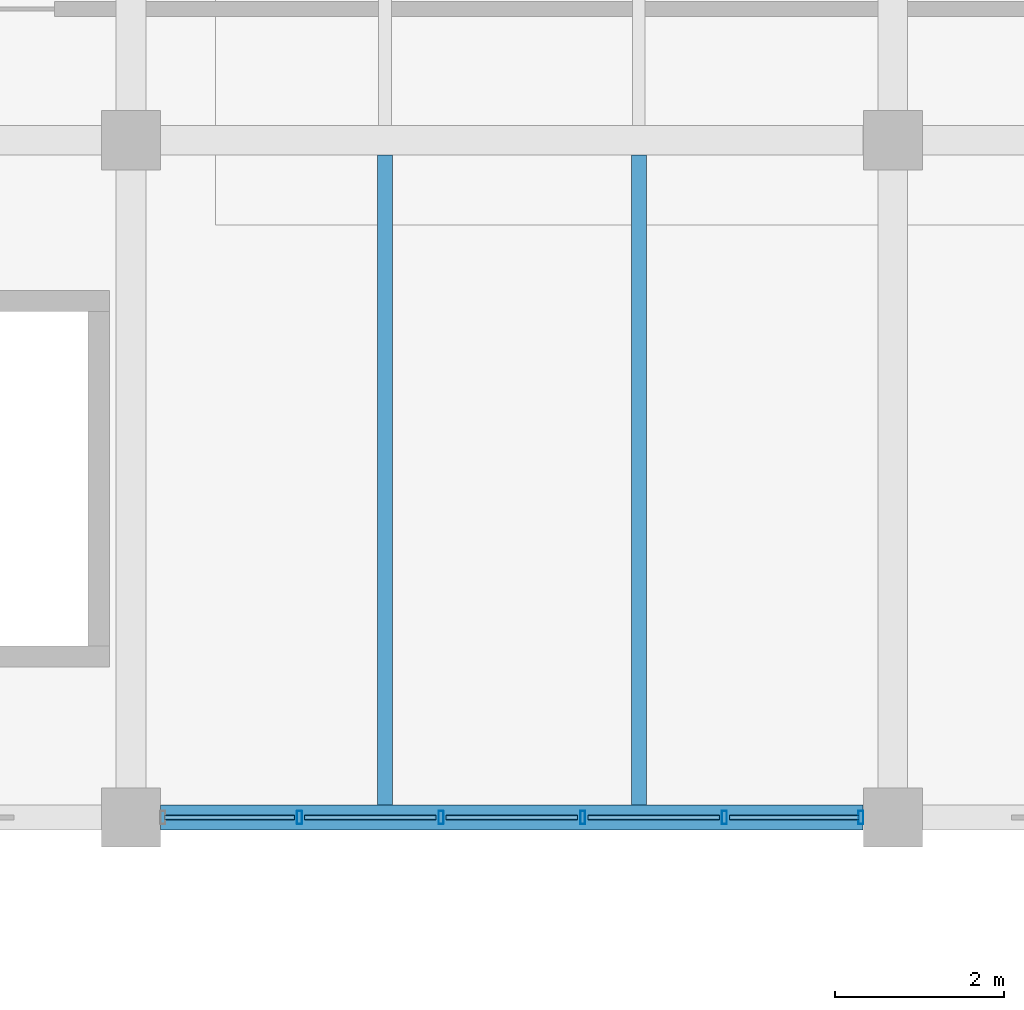
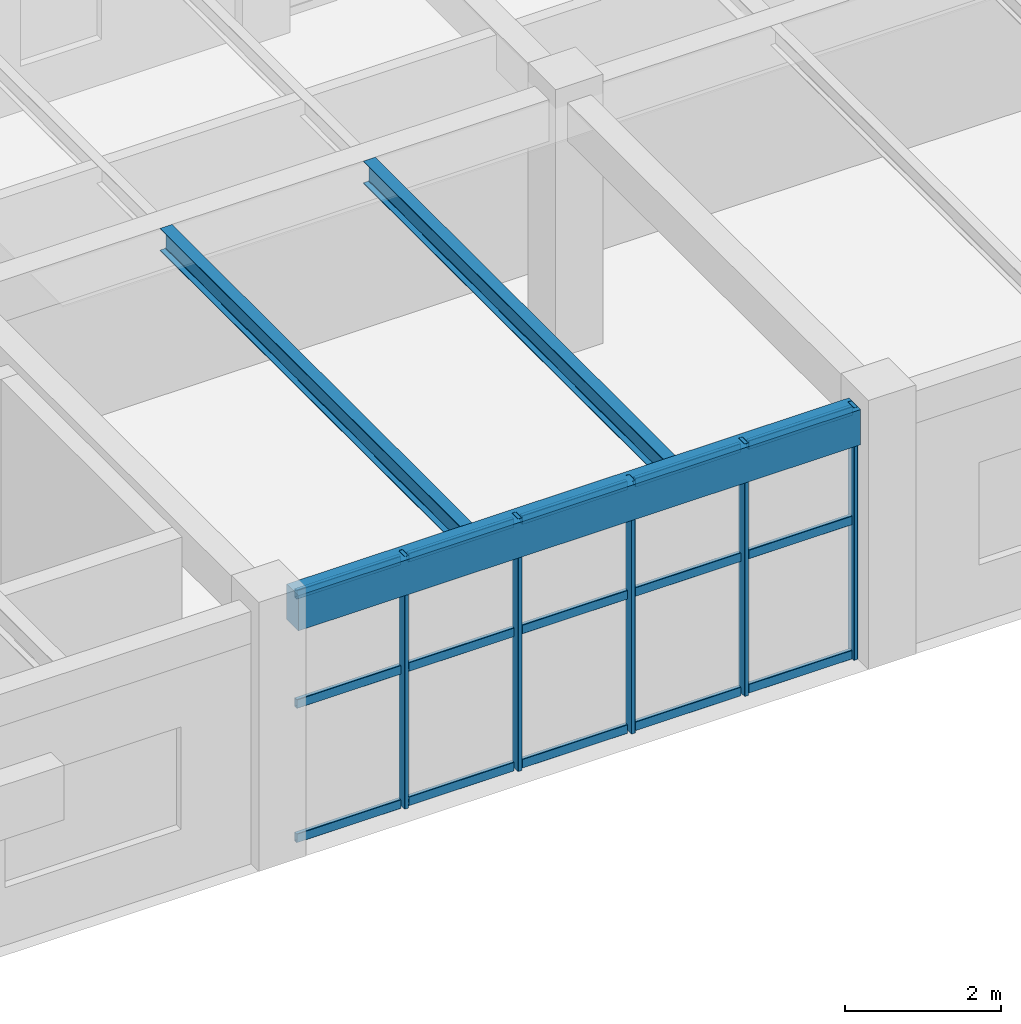
# One storey, part 65 of 128: 20 members, 3 beams, 1 element without a shape of its own.
"""IFC4 building model written with IfcOpenShell, lengths in metres."""

from ifc_helpers import new_model, si_unit, derived_unit, direction, frame, origin, origin_2d, place, context, subcontext, project, spatial, rectangle, hollow_rectangle, i_section, extrude, material, material_profile, profile_set, type_object, element, aggregate, save


model = new_model("IFC4")

# Units and contexts
model_context = context("Model", 3, precision=1e-05, world=origin(), true_north=direction((0.0, 1.0)))
body_context = subcontext(model_context, "Body", "Model", "MODEL_VIEW")
ifc_project = project(units=[si_unit("LENGTHUNIT", "METRE"), si_unit("AREAUNIT", "SQUARE_METRE"), si_unit("VOLUMEUNIT", "CUBIC_METRE"), si_unit("PLANEANGLEUNIT", "RADIAN"), si_unit("MASSUNIT", "GRAM", prefix="KILO"), derived_unit("THERMALTRANSMITTANCEUNIT", [(si_unit("MASSUNIT", "GRAM", prefix="KILO"), 1), (si_unit("TIMEUNIT", "SECOND"), -3), (si_unit("THERMODYNAMICTEMPERATUREUNIT", "KELVIN"), -1)])], contexts=[model_context])

# Site, building, storey
site_placement = place(None, origin())
site = spatial("IfcSite", under=ifc_project, at=site_placement, CompositionType="ELEMENT")
building_placement = place(site_placement, origin())
building = spatial("IfcBuilding", under=site, at=building_placement, Name="Zhenchuan Archway Interchange", CompositionType="ELEMENT")
storey_placement = place(building_placement, frame((0.0, 0.0, 14.39990234375)))
storey = spatial("IfcBuildingStorey", under=building, at=storey_placement, Name="L03", CompositionType="ELEMENT", Elevation=14.39990234375)

# Curtain wall, members
ifc_material_1 = material(Name="Anodised Aluminium", Category="aluminium")
curtain_wall_type = type_object("IfcCurtainWallType", Name="CW_UNIT_2", PredefinedType="NOTDEFINED", material=ifc_material_1)
curtain_wall_placement = place(storey_placement, origin())
curtain_wall = element("IfcCurtainWall", 1, at=curtain_wall_placement, inside=storey, type_object=curtain_wall_type, Name="Unitised curtain wall CW:L03:185", PredefinedType="NOTDEFINED")
ifc_material_profile_1 = material_profile(ifc_material_1, hollow_rectangle(XDim=0.06005859375, YDim=0.159912109375, WallThickness=0.00390625, InnerFilletRadius=0.00390625, OuterFilletRadius=0.008056640625, at=origin_2d()), Name="ALU 160x60x4")
ifc_profile_set_1 = profile_set([ifc_material_profile_1], Name="Anodised Aluminium")
member_type_1 = type_object("IfcMemberType", Name="CW_MUL_150", PredefinedType="MULLION", material=ifc_profile_set_1)
member_1_placement = place(storey_placement, frame((134.6220703125, 8.0, 0.0), z_axis=(0.0, 0.0, 1.0), x_axis=(1.0, 0.0, 0.0)))
member_1 = element("IfcMember", 2, at=member_1_placement, type_object=member_type_1, Name="CW:L03:185 mullion 0", PredefinedType="MULLION", context=body_context, shape_type="SweptSolid", body=[
    extrude(hollow_rectangle(XDim=0.06005859375, YDim=0.159912109375, WallThickness=0.00390625, InnerFilletRadius=0.00390625, OuterFilletRadius=0.008056640625, at=origin_2d()), origin(), (0.0, 0.0, 1.0), 3.940185546875),
])
member_2_placement = place(storey_placement, frame((133.00927734375, 8.0, 0.0), z_axis=(0.0, 0.0, 1.0), x_axis=(1.0, 0.0, 0.0)))
member_2 = element("IfcMember", 3, at=member_2_placement, type_object=member_type_1, Name="CW:L03:185 mullion 1", PredefinedType="MULLION", context=body_context, shape_type="SweptSolid", body=[
    extrude(hollow_rectangle(XDim=0.06005859375, YDim=0.159912109375, WallThickness=0.00390625, InnerFilletRadius=0.00390625, OuterFilletRadius=0.008056640625, at=origin_2d()), origin(), (0.0, 0.0, 1.0), 3.940185546875),
])
member_3_placement = place(storey_placement, frame((131.33642578125, 8.0, 0.0), z_axis=(0.0, 0.0, 1.0), x_axis=(1.0, 0.0, 0.0)))
member_3 = element("IfcMember", 4, at=member_3_placement, type_object=member_type_1, Name="CW:L03:185 mullion 2", PredefinedType="MULLION", context=body_context, shape_type="SweptSolid", body=[
    extrude(hollow_rectangle(XDim=0.06005859375, YDim=0.159912109375, WallThickness=0.00390625, InnerFilletRadius=0.00390625, OuterFilletRadius=0.008056640625, at=origin_2d()), origin(), (0.0, 0.0, 1.0), 3.940185546875),
])
member_4_placement = place(storey_placement, frame((129.66357421875, 8.0, 0.0), z_axis=(0.0, 0.0, 1.0), x_axis=(1.0, 0.0, 0.0)))
member_4 = element("IfcMember", 5, at=member_4_placement, type_object=member_type_1, Name="CW:L03:185 mullion 3", PredefinedType="MULLION", context=body_context, shape_type="SweptSolid", body=[
    extrude(hollow_rectangle(XDim=0.06005859375, YDim=0.159912109375, WallThickness=0.00390625, InnerFilletRadius=0.00390625, OuterFilletRadius=0.008056640625, at=origin_2d()), origin(), (0.0, 0.0, 1.0), 3.940185546875),
])
member_5_placement = place(storey_placement, frame((127.99072265625, 8.0, 0.0), z_axis=(0.0, 0.0, 1.0), x_axis=(1.0, 0.0, 0.0)))
member_5 = element("IfcMember", 6, at=member_5_placement, type_object=member_type_1, Name="CW:L03:185 mullion 4", PredefinedType="MULLION", context=body_context, shape_type="SweptSolid", body=[
    extrude(hollow_rectangle(XDim=0.06005859375, YDim=0.159912109375, WallThickness=0.00390625, InnerFilletRadius=0.00390625, OuterFilletRadius=0.008056640625, at=origin_2d()), origin(), (0.0, 0.0, 1.0), 3.940185546875),
])
ifc_material_profile_2 = material_profile(ifc_material_1, hollow_rectangle(XDim=0.06005859375, YDim=0.139892578125, WallThickness=0.00341796875, InnerFilletRadius=0.00341796875, OuterFilletRadius=0.007080078125, at=origin_2d()), Name="ALU 140x60x3.5")
ifc_profile_set_2 = profile_set([ifc_material_profile_2], Name="Anodised Aluminium")
member_type_2 = type_object("IfcMemberType", Name="CW_TRN_140", PredefinedType="USERDEFINED", material=ifc_profile_set_2)
member_6_placement = place(storey_placement, frame((134.60205078125, 8.0, 0.06005859375), z_axis=(-1.0, 0.0, 0.0), x_axis=(0.0, -1.0, 0.0)))
member_6 = element("IfcMember", 7, at=member_6_placement, type_object=member_type_2, Name="CW:L03:185 transom 0-1", ObjectType="TRANSOM", PredefinedType="USERDEFINED", context=body_context, shape_type="SweptSolid", body=[
    extrude(hollow_rectangle(XDim=0.06005859375, YDim=0.139892578125, WallThickness=0.00341796875, InnerFilletRadius=0.00341796875, OuterFilletRadius=0.007080078125, at=origin_2d()), origin(), (0.0, 0.0, 1.0), 1.532958984375),
])
member_7_placement = place(storey_placement, frame((134.60205078125, 8.0, 2.156005859375), z_axis=(-1.0, 0.0, 0.0), x_axis=(0.0, -1.0, 0.0)))
member_7 = element("IfcMember", 8, at=member_7_placement, type_object=member_type_2, Name="CW:L03:185 transom 0-2", ObjectType="TRANSOM", PredefinedType="USERDEFINED", context=body_context, shape_type="SweptSolid", body=[
    extrude(hollow_rectangle(XDim=0.06005859375, YDim=0.139892578125, WallThickness=0.00341796875, InnerFilletRadius=0.00341796875, OuterFilletRadius=0.007080078125, at=origin_2d()), origin(), (0.0, 0.0, 1.0), 1.532958984375),
])
member_8_placement = place(storey_placement, frame((134.60205078125, 8.0, 3.860107421875), z_axis=(-1.0, 0.0, 0.0), x_axis=(0.0, -1.0, 0.0)))
member_8 = element("IfcMember", 9, at=member_8_placement, type_object=member_type_2, Name="CW:L03:185 transom 0-3", ObjectType="TRANSOM", PredefinedType="USERDEFINED", context=body_context, shape_type="SweptSolid", body=[
    extrude(hollow_rectangle(XDim=0.06005859375, YDim=0.139892578125, WallThickness=0.00341796875, InnerFilletRadius=0.00341796875, OuterFilletRadius=0.007080078125, at=origin_2d()), origin(), (0.0, 0.0, 1.0), 1.532958984375),
])
member_9_placement = place(storey_placement, frame((132.94921875, 8.0, 0.06005859375), z_axis=(-1.0, 0.0, 0.0), x_axis=(0.0, -1.0, 0.0)))
member_9 = element("IfcMember", 10, at=member_9_placement, type_object=member_type_2, Name="CW:L03:185 transom 1-1", ObjectType="TRANSOM", PredefinedType="USERDEFINED", context=body_context, shape_type="SweptSolid", body=[
    extrude(hollow_rectangle(XDim=0.06005859375, YDim=0.139892578125, WallThickness=0.00341796875, InnerFilletRadius=0.00341796875, OuterFilletRadius=0.007080078125, at=origin_2d()), origin(), (0.0, 0.0, 1.0), 1.552734375),
])
member_10_placement = place(storey_placement, frame((132.94921875, 8.0, 2.156005859375), z_axis=(-1.0, 0.0, 0.0), x_axis=(0.0, -1.0, 0.0)))
member_10 = element("IfcMember", 11, at=member_10_placement, type_object=member_type_2, Name="CW:L03:185 transom 1-2", ObjectType="TRANSOM", PredefinedType="USERDEFINED", context=body_context, shape_type="SweptSolid", body=[
    extrude(hollow_rectangle(XDim=0.06005859375, YDim=0.139892578125, WallThickness=0.00341796875, InnerFilletRadius=0.00341796875, OuterFilletRadius=0.007080078125, at=origin_2d()), origin(), (0.0, 0.0, 1.0), 1.552734375),
])
member_11_placement = place(storey_placement, frame((132.94921875, 8.0, 3.860107421875), z_axis=(-1.0, 0.0, 0.0), x_axis=(0.0, -1.0, 0.0)))
member_11 = element("IfcMember", 12, at=member_11_placement, type_object=member_type_2, Name="CW:L03:185 transom 1-3", ObjectType="TRANSOM", PredefinedType="USERDEFINED", context=body_context, shape_type="SweptSolid", body=[
    extrude(hollow_rectangle(XDim=0.06005859375, YDim=0.139892578125, WallThickness=0.00341796875, InnerFilletRadius=0.00341796875, OuterFilletRadius=0.007080078125, at=origin_2d()), origin(), (0.0, 0.0, 1.0), 1.552734375),
])
member_12_placement = place(storey_placement, frame((131.2763671875, 8.0, 0.06005859375), z_axis=(-1.0, 0.0, 0.0), x_axis=(0.0, -1.0, 0.0)))
member_12 = element("IfcMember", 13, at=member_12_placement, type_object=member_type_2, Name="CW:L03:185 transom 2-1", ObjectType="TRANSOM", PredefinedType="USERDEFINED", context=body_context, shape_type="SweptSolid", body=[
    extrude(hollow_rectangle(XDim=0.06005859375, YDim=0.139892578125, WallThickness=0.00341796875, InnerFilletRadius=0.00341796875, OuterFilletRadius=0.007080078125, at=origin_2d()), origin(), (0.0, 0.0, 1.0), 1.552734375),
])
member_13_placement = place(storey_placement, frame((131.2763671875, 8.0, 2.156005859375), z_axis=(-1.0, 0.0, 0.0), x_axis=(0.0, -1.0, 0.0)))
member_13 = element("IfcMember", 14, at=member_13_placement, type_object=member_type_2, Name="CW:L03:185 transom 2-2", ObjectType="TRANSOM", PredefinedType="USERDEFINED", context=body_context, shape_type="SweptSolid", body=[
    extrude(hollow_rectangle(XDim=0.06005859375, YDim=0.139892578125, WallThickness=0.00341796875, InnerFilletRadius=0.00341796875, OuterFilletRadius=0.007080078125, at=origin_2d()), origin(), (0.0, 0.0, 1.0), 1.552734375),
])
member_14_placement = place(storey_placement, frame((131.2763671875, 8.0, 3.860107421875), z_axis=(-1.0, 0.0, 0.0), x_axis=(0.0, -1.0, 0.0)))
member_14 = element("IfcMember", 15, at=member_14_placement, type_object=member_type_2, Name="CW:L03:185 transom 2-3", ObjectType="TRANSOM", PredefinedType="USERDEFINED", context=body_context, shape_type="SweptSolid", body=[
    extrude(hollow_rectangle(XDim=0.06005859375, YDim=0.139892578125, WallThickness=0.00341796875, InnerFilletRadius=0.00341796875, OuterFilletRadius=0.007080078125, at=origin_2d()), origin(), (0.0, 0.0, 1.0), 1.552734375),
])
member_15_placement = place(storey_placement, frame((129.603515625, 8.0, 0.06005859375), z_axis=(-1.0, 0.0, 0.0), x_axis=(0.0, -1.0, 0.0)))
member_15 = element("IfcMember", 16, at=member_15_placement, type_object=member_type_2, Name="CW:L03:185 transom 3-1", ObjectType="TRANSOM", PredefinedType="USERDEFINED", context=body_context, shape_type="SweptSolid", body=[
    extrude(hollow_rectangle(XDim=0.06005859375, YDim=0.139892578125, WallThickness=0.00341796875, InnerFilletRadius=0.00341796875, OuterFilletRadius=0.007080078125, at=origin_2d()), origin(), (0.0, 0.0, 1.0), 1.552734375),
])
member_16_placement = place(storey_placement, frame((129.603515625, 8.0, 2.156005859375), z_axis=(-1.0, 0.0, 0.0), x_axis=(0.0, -1.0, 0.0)))
member_16 = element("IfcMember", 17, at=member_16_placement, type_object=member_type_2, Name="CW:L03:185 transom 3-2", ObjectType="TRANSOM", PredefinedType="USERDEFINED", context=body_context, shape_type="SweptSolid", body=[
    extrude(hollow_rectangle(XDim=0.06005859375, YDim=0.139892578125, WallThickness=0.00341796875, InnerFilletRadius=0.00341796875, OuterFilletRadius=0.007080078125, at=origin_2d()), origin(), (0.0, 0.0, 1.0), 1.552734375),
])
member_17_placement = place(storey_placement, frame((129.603515625, 8.0, 3.860107421875), z_axis=(-1.0, 0.0, 0.0), x_axis=(0.0, -1.0, 0.0)))
member_17 = element("IfcMember", 18, at=member_17_placement, type_object=member_type_2, Name="CW:L03:185 transom 3-3", ObjectType="TRANSOM", PredefinedType="USERDEFINED", context=body_context, shape_type="SweptSolid", body=[
    extrude(hollow_rectangle(XDim=0.06005859375, YDim=0.139892578125, WallThickness=0.00341796875, InnerFilletRadius=0.00341796875, OuterFilletRadius=0.007080078125, at=origin_2d()), origin(), (0.0, 0.0, 1.0), 1.552734375),
])
member_18_placement = place(storey_placement, frame((127.930908203125, 8.0, 0.06005859375), z_axis=(-1.0, 0.0, 0.0), x_axis=(0.0, -1.0, 0.0)))
member_18 = element("IfcMember", 19, at=member_18_placement, type_object=member_type_2, Name="CW:L03:185 transom 4-1", ObjectType="TRANSOM", PredefinedType="USERDEFINED", context=body_context, shape_type="SweptSolid", body=[
    extrude(hollow_rectangle(XDim=0.06005859375, YDim=0.139892578125, WallThickness=0.00341796875, InnerFilletRadius=0.00341796875, OuterFilletRadius=0.007080078125, at=origin_2d()), origin(), (0.0, 0.0, 1.0), 1.532958984375),
])
member_19_placement = place(storey_placement, frame((127.930908203125, 8.0, 2.156005859375), z_axis=(-1.0, 0.0, 0.0), x_axis=(0.0, -1.0, 0.0)))
member_19 = element("IfcMember", 20, at=member_19_placement, type_object=member_type_2, Name="CW:L03:185 transom 4-2", ObjectType="TRANSOM", PredefinedType="USERDEFINED", context=body_context, shape_type="SweptSolid", body=[
    extrude(hollow_rectangle(XDim=0.06005859375, YDim=0.139892578125, WallThickness=0.00341796875, InnerFilletRadius=0.00341796875, OuterFilletRadius=0.007080078125, at=origin_2d()), origin(), (0.0, 0.0, 1.0), 1.532958984375),
])
member_20_placement = place(storey_placement, frame((127.930908203125, 8.0, 3.860107421875), z_axis=(-1.0, 0.0, 0.0), x_axis=(0.0, -1.0, 0.0)))
member_20 = element("IfcMember", 21, at=member_20_placement, type_object=member_type_2, Name="CW:L03:185 transom 4-3", ObjectType="TRANSOM", PredefinedType="USERDEFINED", context=body_context, shape_type="SweptSolid", body=[
    extrude(hollow_rectangle(XDim=0.06005859375, YDim=0.139892578125, WallThickness=0.00341796875, InnerFilletRadius=0.00341796875, OuterFilletRadius=0.007080078125, at=origin_2d()), origin(), (0.0, 0.0, 1.0), 1.532958984375),
])
aggregate(curtain_wall, [member_1, member_2, member_3, member_4, member_5, member_6, member_7, member_8, member_9, member_10, member_11, member_12, member_13, member_14, member_15, member_16, member_17, member_18, member_19, member_20])

# Beams
ifc_material_2 = material(Name="Steel Q355", Category="steel")
ifc_material_profile_3 = material_profile(ifc_material_2, i_section(OverallWidth=0.175048828125, OverallDepth=0.35009765625, WebThickness=0.007080078125, FlangeThickness=0.010986328125, FilletRadius=0.013916015625, at=origin_2d()), Name="HN 350x175")
ifc_profile_set_3 = profile_set([ifc_material_profile_3], Name="Steel Q355")
beam_type_1 = type_object("IfcBeamType", Name="JST_STL_HN350", PredefinedType="JOIST", material=ifc_profile_set_3)
for number, where, z_axis, x_axis, name in (
    (22, (129.0, 8.14990234375, 3.76513671875), (0.0, 1.0, 0.0), (-1.0, 0.0, 0.0), "Secondary joist 15-16/B-C #1 (L03)"),
    (23, (132.0, 8.14990234375, 3.76513671875), (0.0, 1.0, 0.0), (-1.0, 0.0, 0.0), "Secondary joist 15-16/B-C #2 (L03)"),
):
    element("IfcBeam", number, at=place(storey_placement, frame(where, z_axis=z_axis, x_axis=x_axis)), inside=storey, type_object=beam_type_1, Name=name, PredefinedType="JOIST", context=body_context, shape_type="SweptSolid", body=[
        extrude(i_section(OverallWidth=0.175048828125, OverallDepth=0.35009765625, WebThickness=0.007080078125, FlangeThickness=0.010986328125, FilletRadius=0.013916015625, at=origin_2d()), origin(), (0.0, 0.0, 1.0), 7.675048828125),
    ])
ifc_material_3 = material(Name="Concrete C40", Category="concrete")
ifc_material_profile_4 = material_profile(ifc_material_3, rectangle(XDim=0.300048828125, YDim=0.550048828125, at=origin_2d()), Name="RC 300x550")
ifc_profile_set_4 = profile_set([ifc_material_profile_4], Name="Concrete C40")
beam_type_2 = type_object("IfcBeamType", Name="SP_RC_300x550", PredefinedType="SPANDREL", material=ifc_profile_set_4)
beam_placement = place(storey_placement, frame((126.35009765625, 8.0, 3.6650390625), z_axis=(1.0, 0.0, 0.0), x_axis=(0.0, 1.0, 0.0)))
element("IfcBeam", 24, at=beam_placement, inside=storey, type_object=beam_type_2, Name="Beam B:15-16 (L03)", PredefinedType="SPANDREL", context=body_context, shape_type="SweptSolid", body=[
    extrude(rectangle(XDim=0.300048828125, YDim=0.550048828125, at=origin_2d()), origin(), (0.0, 0.0, 1.0), 8.2998046875),
])

save(model, "model.ifc")
